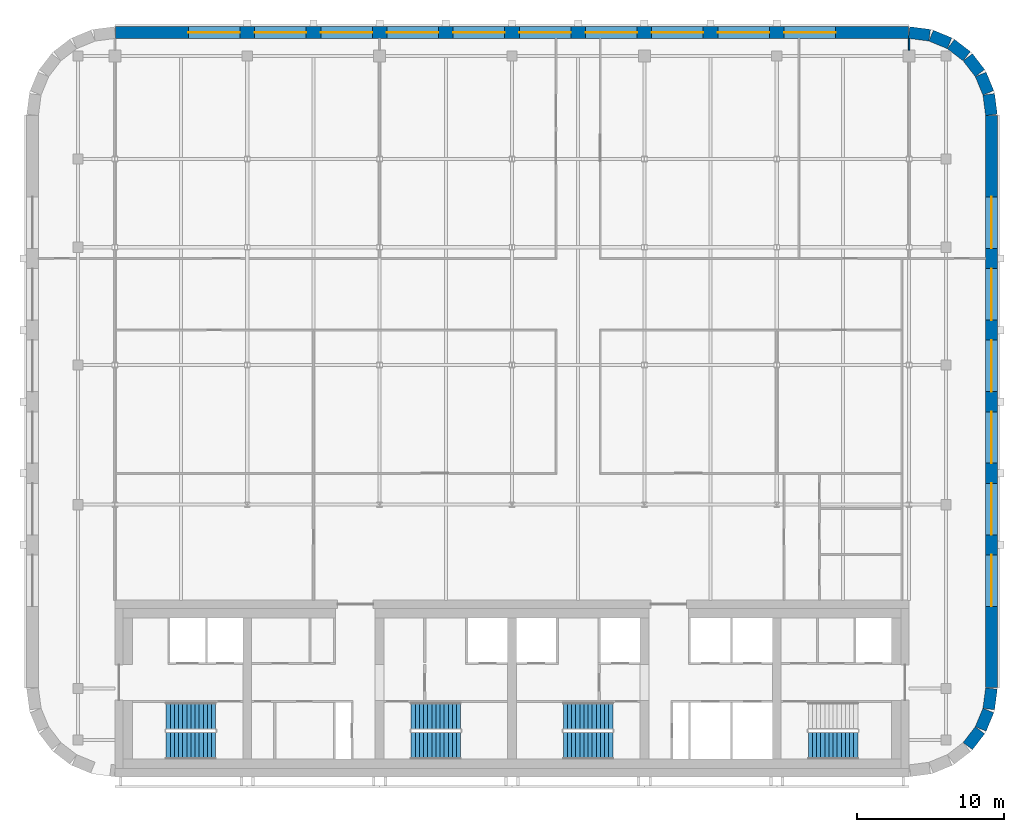
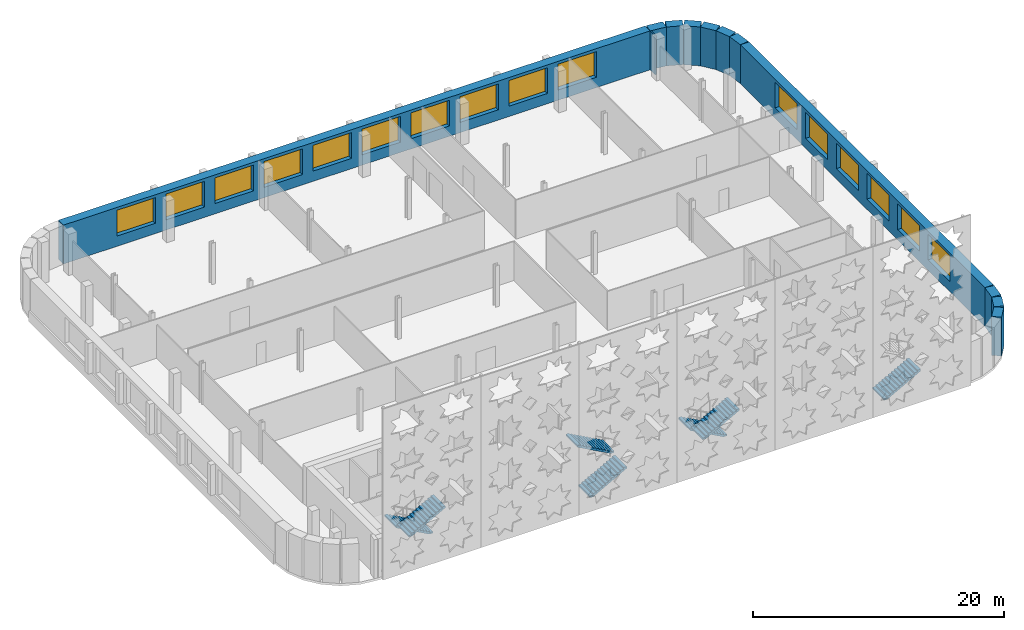
# One storey, part 10 of 14: 16 windows, 12 walls, 7 stair flights, 16 openings, 4 elements without a shape of their own.
"""IFC4 building model written with IfcOpenShell, lengths in metres."""

from ifc_helpers import new_model, si_unit, direction, frame, frame_2d, origin, place, context, subcontext, project, spatial, polyline, rectangle, outline, extrude, material, layer, layer_set, type_object, element, fill, aggregate, save


model = new_model("IFC4")

# Units and contexts
model_context = context("Model", 3, precision=1e-05, world=origin(), true_north=direction((0.0, 1.0)))
body_context = subcontext(model_context, "Body", "Model", "MODEL_VIEW")
ifc_project = project(units=[si_unit("LENGTHUNIT", "METRE"), si_unit("AREAUNIT", "SQUARE_METRE"), si_unit("VOLUMEUNIT", "CUBIC_METRE"), si_unit("PLANEANGLEUNIT", "RADIAN"), si_unit("MASSUNIT", "GRAM", prefix="KILO")], contexts=[model_context])

# Site, building, storey
site_placement = place(None, origin())
site = spatial("IfcSite", under=ifc_project, at=site_placement, CompositionType="ELEMENT")
building_placement = place(site_placement, origin())
building = spatial("IfcBuilding", under=site, at=building_placement, Name="Zellij Exchange Tower", CompositionType="ELEMENT")
storey_placement = place(building_placement, frame((0.0, 0.0, 288.5)))
storey = spatial("IfcBuildingStorey", under=building, at=storey_placement, Name="L68", CompositionType="ELEMENT", Elevation=288.5)

# Walls
ifc_material_1 = material(Name="Precast concrete C40/50", Category="concrete")
ifc_layer_1 = layer(ifc_material_1, 0.800048828125)
ifc_layer_set_1 = layer_set([ifc_layer_1], Name="Precast concrete C40/50")
wall_type_1 = type_object("IfcWallType", Name="ENV-EW1 Precast stone-piered wall 800", PredefinedType="SOLIDWALL", material=ifc_layer_set_1)
wall_1_placement = place(storey_placement, frame((30.9892578125, -11.91552734375, 0.0), z_axis=(0.0, 0.0, 1.0), x_axis=(0.608866226366, 0.793272915452, 0.0)))
element("IfcWall", 1, at=wall_1_placement, inside=storey, type_object=wall_type_1, Name="fac.L68.04", PredefinedType="SOLIDWALL", context=body_context, shape_type="SweptSolid", body=[
    extrude(rectangle(XDim=1.355712890625, YDim=0.800048828125, at=frame_2d((0.677734375, 0.0))), origin(), (0.0, 0.0, 1.0), 3.780029296875),
])
wall_2_placement = place(storey_placement, frame((31.866943359375, -10.74951171875, 0.0), z_axis=(0.0, 0.0, 1.0), x_axis=(0.38276009378, 0.923847774587, 0.0)))
element("IfcWall", 2, at=wall_2_placement, inside=storey, type_object=wall_type_1, Name="fac.L68.05", PredefinedType="SOLIDWALL", context=body_context, shape_type="SweptSolid", body=[
    extrude(rectangle(XDim=1.35546875, YDim=0.800048828125, at=frame_2d((0.677734375, 0.0))), origin(), (0.0, 0.0, 1.0), 3.780029296875),
])
wall_3_placement = place(storey_placement, frame((32.412841796875, -9.396240234375, 0.0), z_axis=(0.0, 0.0, 1.0), x_axis=(0.130517283865, 0.99144603414, 0.0)))
element("IfcWall", 3, at=wall_3_placement, inside=storey, type_object=wall_type_1, Name="fac.L68.06", PredefinedType="SOLIDWALL", context=body_context, shape_type="SweptSolid", body=[
    extrude(rectangle(XDim=1.408447265625, YDim=0.800048828125, at=frame_2d((0.7041015625, 0.0))), origin(), (0.0, 0.0, 1.0), 3.780029296875),
])

# Wall, openings, windows
wall_4_placement = place(storey_placement, frame((32.60009765625, -7.947509765625, 0.0), z_axis=(0.0, 0.0, 1.0), x_axis=(0.0, 1.0, 0.0)))
wall_4 = element("IfcWall", 4, at=wall_4_placement, inside=storey, type_object=wall_type_1, Name="fac.L68.07", PredefinedType="SOLIDWALL", context=body_context, shape_type="SweptSolid", body=[
    extrude(rectangle(XDim=38.89501953125, YDim=0.800048828125, at=frame_2d((19.447509765625, 0.0))), origin(), (0.0, 0.0, 1.0), 3.780029296875),
])
opening_1_placement = place(wall_4_placement, frame((5.5263671875, 0.0, 1.0)))
opening_1 = element("IfcOpeningElement", 5, at=opening_1_placement, cuts=wall_4, Name="Opening FC2.01", PredefinedType="OPENING", context=body_context, shape_type="SweptSolid", body=[
    extrude(rectangle(XDim=3.5, YDim=2.5, at=frame_2d((1.75, 1.25))), frame((0.0, 0.412109375, 0.0), z_axis=(0.0, -1.0, 0.0), x_axis=(1.0, 0.0, 0.0)), (0.0, 0.0, 1.0), 0.823974609375),
])
opening_2_placement = place(wall_4_placement, frame((10.39501953125, 0.0, 1.0)))
opening_2 = element("IfcOpeningElement", 6, at=opening_2_placement, cuts=wall_4, Name="Opening FC2.02", PredefinedType="OPENING", context=body_context, shape_type="SweptSolid", body=[
    extrude(rectangle(XDim=3.5, YDim=2.5, at=frame_2d((1.75, 1.25))), frame((0.0, 0.412109375, 0.0), z_axis=(0.0, -1.0, 0.0), x_axis=(1.0, 0.0, 0.0)), (0.0, 0.0, 1.0), 0.823974609375),
])
opening_3_placement = place(wall_4_placement, frame((15.26318359375, 0.0, 1.0)))
opening_3 = element("IfcOpeningElement", 7, at=opening_3_placement, cuts=wall_4, Name="Opening FC2.03", PredefinedType="OPENING", context=body_context, shape_type="SweptSolid", body=[
    extrude(rectangle(XDim=3.5, YDim=2.5, at=frame_2d((1.75, 1.25))), frame((0.0, 0.412109375, 0.0), z_axis=(0.0, -1.0, 0.0), x_axis=(1.0, 0.0, 0.0)), (0.0, 0.0, 1.0), 0.823974609375),
])
opening_4_placement = place(wall_4_placement, frame((20.1318359375, 0.0, 1.0)))
opening_4 = element("IfcOpeningElement", 8, at=opening_4_placement, cuts=wall_4, Name="Opening FC2.04", PredefinedType="OPENING", context=body_context, shape_type="SweptSolid", body=[
    extrude(rectangle(XDim=3.5, YDim=2.5, at=frame_2d((1.75, 1.25))), frame((0.0, 0.412109375, 0.0), z_axis=(0.0, -1.0, 0.0), x_axis=(1.0, 0.0, 0.0)), (0.0, 0.0, 1.0), 0.823974609375),
])
opening_5_placement = place(wall_4_placement, frame((25.000244140625, 0.0, 1.0)))
opening_5 = element("IfcOpeningElement", 9, at=opening_5_placement, cuts=wall_4, Name="Opening FC2.05", PredefinedType="OPENING", context=body_context, shape_type="SweptSolid", body=[
    extrude(rectangle(XDim=3.5, YDim=2.5, at=frame_2d((1.75, 1.25))), frame((0.0, 0.412109375, 0.0), z_axis=(0.0, -1.0, 0.0), x_axis=(1.0, 0.0, 0.0)), (0.0, 0.0, 1.0), 0.823974609375),
])
opening_6_placement = place(wall_4_placement, frame((29.86865234375, 0.0, 1.0)))
opening_6 = element("IfcOpeningElement", 10, at=opening_6_placement, cuts=wall_4, Name="Opening FC2.06", PredefinedType="OPENING", context=body_context, shape_type="SweptSolid", body=[
    extrude(rectangle(XDim=3.5, YDim=2.5, at=frame_2d((1.75, 1.25))), frame((0.0, 0.412109375, 0.0), z_axis=(0.0, -1.0, 0.0), x_axis=(1.0, 0.0, 0.0)), (0.0, 0.0, 1.0), 0.823974609375),
])
ifc_material_2 = material(Name="Aluminium frame with insulating glass", Category="aluminium")
window_type = type_object("IfcWindowType", Name="ENV-W1 Window 3500x2500", PartitioningType="SINGLE_PANEL", PredefinedType="WINDOW", material=ifc_material_2)
window_1_placement = place(opening_1_placement, origin())
window_1 = element("IfcWindow", 11, at=window_1_placement, inside=storey, type_object=window_type, Name="Window FC2.01", OverallHeight=2.5, OverallWidth=3.5, PartitioningType="SINGLE_PANEL", PredefinedType="WINDOW", context=body_context, shape_type="SweptSolid", body=[
    extrude(rectangle(XDim=3.5, YDim=2.5, at=frame_2d((1.75, 1.25))), frame((0.0, 0.030029296875, 0.0), z_axis=(0.0, -1.0, 0.0), x_axis=(1.0, 0.0, 0.0)), (0.0, 0.0, 1.0), 0.06005859375),
])
fill(opening_1, window_1)
window_2_placement = place(opening_2_placement, origin())
window_2 = element("IfcWindow", 12, at=window_2_placement, inside=storey, type_object=window_type, Name="Window FC2.02", OverallHeight=2.5, OverallWidth=3.5, PartitioningType="SINGLE_PANEL", PredefinedType="WINDOW", context=body_context, shape_type="SweptSolid", body=[
    extrude(rectangle(XDim=3.5, YDim=2.5, at=frame_2d((1.75, 1.25))), frame((0.0, 0.030029296875, 0.0), z_axis=(0.0, -1.0, 0.0), x_axis=(1.0, 0.0, 0.0)), (0.0, 0.0, 1.0), 0.06005859375),
])
fill(opening_2, window_2)
window_3_placement = place(opening_3_placement, origin())
window_3 = element("IfcWindow", 13, at=window_3_placement, inside=storey, type_object=window_type, Name="Window FC2.03", OverallHeight=2.5, OverallWidth=3.5, PartitioningType="SINGLE_PANEL", PredefinedType="WINDOW", context=body_context, shape_type="SweptSolid", body=[
    extrude(rectangle(XDim=3.5, YDim=2.5, at=frame_2d((1.75, 1.25))), frame((0.0, 0.030029296875, 0.0), z_axis=(0.0, -1.0, 0.0), x_axis=(1.0, 0.0, 0.0)), (0.0, 0.0, 1.0), 0.06005859375),
])
fill(opening_3, window_3)
window_4_placement = place(opening_4_placement, origin())
window_4 = element("IfcWindow", 14, at=window_4_placement, inside=storey, type_object=window_type, Name="Window FC2.04", OverallHeight=2.5, OverallWidth=3.5, PartitioningType="SINGLE_PANEL", PredefinedType="WINDOW", context=body_context, shape_type="SweptSolid", body=[
    extrude(rectangle(XDim=3.5, YDim=2.5, at=frame_2d((1.75, 1.25))), frame((0.0, 0.030029296875, 0.0), z_axis=(0.0, -1.0, 0.0), x_axis=(1.0, 0.0, 0.0)), (0.0, 0.0, 1.0), 0.06005859375),
])
fill(opening_4, window_4)
window_5_placement = place(opening_5_placement, origin())
window_5 = element("IfcWindow", 15, at=window_5_placement, inside=storey, type_object=window_type, Name="Window FC2.05", OverallHeight=2.5, OverallWidth=3.5, PartitioningType="SINGLE_PANEL", PredefinedType="WINDOW", context=body_context, shape_type="SweptSolid", body=[
    extrude(rectangle(XDim=3.5, YDim=2.5, at=frame_2d((1.75, 1.25))), frame((0.0, 0.030029296875, 0.0), z_axis=(0.0, -1.0, 0.0), x_axis=(1.0, 0.0, 0.0)), (0.0, 0.0, 1.0), 0.06005859375),
])
fill(opening_5, window_5)
window_6_placement = place(opening_6_placement, origin())
window_6 = element("IfcWindow", 16, at=window_6_placement, inside=storey, type_object=window_type, Name="Window FC2.06", OverallHeight=2.5, OverallWidth=3.5, PartitioningType="SINGLE_PANEL", PredefinedType="WINDOW", context=body_context, shape_type="SweptSolid", body=[
    extrude(rectangle(XDim=3.5, YDim=2.5, at=frame_2d((1.75, 1.25))), frame((0.0, 0.030029296875, 0.0), z_axis=(0.0, -1.0, 0.0), x_axis=(1.0, 0.0, 0.0)), (0.0, 0.0, 1.0), 0.06005859375),
])
fill(opening_6, window_6)

# Walls
wall_5_placement = place(storey_placement, frame((32.5966796875, 30.999755859375, 0.0), z_axis=(0.0, 0.0, 1.0), x_axis=(-0.130517283865, 0.99144603414, 0.0)))
element("IfcWall", 17, at=wall_5_placement, inside=storey, type_object=wall_type_1, Name="fac.L68.08", PredefinedType="SOLIDWALL", context=body_context, shape_type="SweptSolid", body=[
    extrude(rectangle(XDim=1.408447265625, YDim=0.800048828125, at=frame_2d((0.7041015625, 0.0))), origin(), (0.0, 0.0, 1.0), 3.780029296875),
])
wall_6_placement = place(storey_placement, frame((32.3857421875, 32.497314453125, 0.0), z_axis=(0.0, 0.0, 1.0), x_axis=(-0.38276009378, 0.923847774587, 0.0)))
element("IfcWall", 18, at=wall_6_placement, inside=storey, type_object=wall_type_1, Name="fac.L68.09", PredefinedType="SOLIDWALL", context=body_context, shape_type="SweptSolid", body=[
    extrude(rectangle(XDim=1.35546875, YDim=0.800048828125, at=frame_2d((0.677734375, 0.0))), origin(), (0.0, 0.0, 1.0), 3.780029296875),
])
for number, where, z_axis, x_axis, name in (
    (19, (31.814697265625, 33.840087890625, 0.0), (0.0, 0.0, 1.0), (-0.608866226366, 0.793272915452, 0.0), "fac.L68.10"),
    (20, (30.91552734375, 34.9892578125, 0.0), (0.0, 0.0, 1.0), (-0.793272915452, 0.608866226366, 0.0), "fac.L68.11"),
):
    element("IfcWall", number, at=place(storey_placement, frame(where, z_axis=z_axis, x_axis=x_axis)), inside=storey, type_object=wall_type_1, Name=name, PredefinedType="SOLIDWALL", context=body_context, shape_type="SweptSolid", body=[
        extrude(rectangle(XDim=1.355712890625, YDim=0.800048828125, at=frame_2d((0.677734375, 0.0))), origin(), (0.0, 0.0, 1.0), 3.780029296875),
    ])
wall_7_placement = place(storey_placement, frame((29.74951171875, 35.866943359375, 0.0), z_axis=(0.0, 0.0, 1.0), x_axis=(-0.923847774587, 0.38276009378, 0.0)))
element("IfcWall", 21, at=wall_7_placement, inside=storey, type_object=wall_type_1, Name="fac.L68.12", PredefinedType="SOLIDWALL", context=body_context, shape_type="SweptSolid", body=[
    extrude(rectangle(XDim=1.35546875, YDim=0.800048828125, at=frame_2d((0.677734375, 0.0))), origin(), (0.0, 0.0, 1.0), 3.780029296875),
])
wall_8_placement = place(storey_placement, frame((28.396240234375, 36.412841796875, 0.0), z_axis=(0.0, 0.0, 1.0), x_axis=(-0.99144603414, 0.130517283865, 0.0)))
element("IfcWall", 22, at=wall_8_placement, inside=storey, type_object=wall_type_1, Name="fac.L68.13", PredefinedType="SOLIDWALL", context=body_context, shape_type="SweptSolid", body=[
    extrude(rectangle(XDim=1.408447265625, YDim=0.800048828125, at=frame_2d((0.7041015625, 0.0))), origin(), (0.0, 0.0, 1.0), 3.780029296875),
])

# Wall, openings, windows
wall_9_placement = place(storey_placement, frame((26.947509765625, 36.60009765625, 0.0), z_axis=(0.0, 0.0, 1.0), x_axis=(-1.0, 0.0, 0.0)))
wall_9 = element("IfcWall", 23, at=wall_9_placement, inside=storey, type_object=wall_type_1, Name="fac.L68.14", PredefinedType="SOLIDWALL", context=body_context, shape_type="SweptSolid", body=[
    extrude(rectangle(XDim=53.89501953125, YDim=0.800048828125, at=frame_2d((26.947509765625, 0.0))), origin(), (0.0, 0.0, 1.0), 3.780029296875),
])
opening_7_placement = place(wall_9_placement, frame((4.947509765625, 0.0, 1.0)))
opening_7 = element("IfcOpeningElement", 24, at=opening_7_placement, cuts=wall_9, Name="Opening FC2.07", PredefinedType="OPENING", context=body_context, shape_type="SweptSolid", body=[
    extrude(rectangle(XDim=3.5, YDim=2.5, at=frame_2d((1.75, 1.25))), frame((0.0, 0.412109375, 0.0), z_axis=(0.0, -1.0, 0.0), x_axis=(1.0, 0.0, 0.0)), (0.0, 0.0, 1.0), 0.823974609375),
])
opening_8_placement = place(wall_9_placement, frame((9.447509765625, 0.0, 1.0)))
opening_8 = element("IfcOpeningElement", 25, at=opening_8_placement, cuts=wall_9, Name="Opening FC2.08", PredefinedType="OPENING", context=body_context, shape_type="SweptSolid", body=[
    extrude(rectangle(XDim=3.5, YDim=2.5, at=frame_2d((1.75, 1.25))), frame((0.0, 0.412109375, 0.0), z_axis=(0.0, -1.0, 0.0), x_axis=(1.0, 0.0, 0.0)), (0.0, 0.0, 1.0), 0.823974609375),
])
opening_9_placement = place(wall_9_placement, frame((13.947509765625, 0.0, 1.0)))
opening_9 = element("IfcOpeningElement", 26, at=opening_9_placement, cuts=wall_9, Name="Opening FC2.09", PredefinedType="OPENING", context=body_context, shape_type="SweptSolid", body=[
    extrude(rectangle(XDim=3.5, YDim=2.5, at=frame_2d((1.75, 1.25))), frame((0.0, 0.412109375, 0.0), z_axis=(0.0, -1.0, 0.0), x_axis=(1.0, 0.0, 0.0)), (0.0, 0.0, 1.0), 0.823974609375),
])
opening_10_placement = place(wall_9_placement, frame((18.447509765625, 0.0, 1.0)))
opening_10 = element("IfcOpeningElement", 27, at=opening_10_placement, cuts=wall_9, Name="Opening FC2.10", PredefinedType="OPENING", context=body_context, shape_type="SweptSolid", body=[
    extrude(rectangle(XDim=3.5, YDim=2.5, at=frame_2d((1.75, 1.25))), frame((0.0, 0.412109375, 0.0), z_axis=(0.0, -1.0, 0.0), x_axis=(1.0, 0.0, 0.0)), (0.0, 0.0, 1.0), 0.823974609375),
])
opening_11_placement = place(wall_9_placement, frame((22.947509765625, 0.0, 1.0)))
opening_11 = element("IfcOpeningElement", 28, at=opening_11_placement, cuts=wall_9, Name="Opening FC2.11", PredefinedType="OPENING", context=body_context, shape_type="SweptSolid", body=[
    extrude(rectangle(XDim=3.5, YDim=2.5, at=frame_2d((1.75, 1.25))), frame((0.0, 0.412109375, 0.0), z_axis=(0.0, -1.0, 0.0), x_axis=(1.0, 0.0, 0.0)), (0.0, 0.0, 1.0), 0.823974609375),
])
opening_12_placement = place(wall_9_placement, frame((27.447509765625, 0.0, 1.0)))
opening_12 = element("IfcOpeningElement", 29, at=opening_12_placement, cuts=wall_9, Name="Opening FC2.12", PredefinedType="OPENING", context=body_context, shape_type="SweptSolid", body=[
    extrude(rectangle(XDim=3.5, YDim=2.5, at=frame_2d((1.75, 1.25))), frame((0.0, 0.412109375, 0.0), z_axis=(0.0, -1.0, 0.0), x_axis=(1.0, 0.0, 0.0)), (0.0, 0.0, 1.0), 0.823974609375),
])
opening_13_placement = place(wall_9_placement, frame((31.947509765625, 0.0, 1.0)))
opening_13 = element("IfcOpeningElement", 30, at=opening_13_placement, cuts=wall_9, Name="Opening FC2.13", PredefinedType="OPENING", context=body_context, shape_type="SweptSolid", body=[
    extrude(rectangle(XDim=3.5, YDim=2.5, at=frame_2d((1.75, 1.25))), frame((0.0, 0.412109375, 0.0), z_axis=(0.0, -1.0, 0.0), x_axis=(1.0, 0.0, 0.0)), (0.0, 0.0, 1.0), 0.823974609375),
])
opening_14_placement = place(wall_9_placement, frame((36.447509765625, 0.0, 1.0)))
opening_14 = element("IfcOpeningElement", 31, at=opening_14_placement, cuts=wall_9, Name="Opening FC2.14", PredefinedType="OPENING", context=body_context, shape_type="SweptSolid", body=[
    extrude(rectangle(XDim=3.5, YDim=2.5, at=frame_2d((1.75, 1.25))), frame((0.0, 0.412109375, 0.0), z_axis=(0.0, -1.0, 0.0), x_axis=(1.0, 0.0, 0.0)), (0.0, 0.0, 1.0), 0.823974609375),
])
opening_15_placement = place(wall_9_placement, frame((40.947509765625, 0.0, 1.0)))
opening_15 = element("IfcOpeningElement", 32, at=opening_15_placement, cuts=wall_9, Name="Opening FC2.15", PredefinedType="OPENING", context=body_context, shape_type="SweptSolid", body=[
    extrude(rectangle(XDim=3.5, YDim=2.5, at=frame_2d((1.75, 1.25))), frame((0.0, 0.412109375, 0.0), z_axis=(0.0, -1.0, 0.0), x_axis=(1.0, 0.0, 0.0)), (0.0, 0.0, 1.0), 0.823974609375),
])
opening_16_placement = place(wall_9_placement, frame((45.447509765625, 0.0, 1.0)))
opening_16 = element("IfcOpeningElement", 33, at=opening_16_placement, cuts=wall_9, Name="Opening FC2.16", PredefinedType="OPENING", context=body_context, shape_type="SweptSolid", body=[
    extrude(rectangle(XDim=3.5, YDim=2.5, at=frame_2d((1.75, 1.25))), frame((0.0, 0.412109375, 0.0), z_axis=(0.0, -1.0, 0.0), x_axis=(1.0, 0.0, 0.0)), (0.0, 0.0, 1.0), 0.823974609375),
])
window_7_placement = place(opening_7_placement, origin())
window_7 = element("IfcWindow", 34, at=window_7_placement, inside=storey, type_object=window_type, Name="Window FC2.07", OverallHeight=2.5, OverallWidth=3.5, PartitioningType="SINGLE_PANEL", PredefinedType="WINDOW", context=body_context, shape_type="SweptSolid", body=[
    extrude(rectangle(XDim=3.5, YDim=2.5, at=frame_2d((1.75, 1.25))), frame((0.0, 0.030029296875, 0.0), z_axis=(0.0, -1.0, 0.0), x_axis=(1.0, 0.0, 0.0)), (0.0, 0.0, 1.0), 0.06005859375),
])
fill(opening_7, window_7)
window_8_placement = place(opening_8_placement, origin())
window_8 = element("IfcWindow", 35, at=window_8_placement, inside=storey, type_object=window_type, Name="Window FC2.08", OverallHeight=2.5, OverallWidth=3.5, PartitioningType="SINGLE_PANEL", PredefinedType="WINDOW", context=body_context, shape_type="SweptSolid", body=[
    extrude(rectangle(XDim=3.5, YDim=2.5, at=frame_2d((1.75, 1.25))), frame((0.0, 0.030029296875, 0.0), z_axis=(0.0, -1.0, 0.0), x_axis=(1.0, 0.0, 0.0)), (0.0, 0.0, 1.0), 0.06005859375),
])
fill(opening_8, window_8)
window_9_placement = place(opening_9_placement, origin())
window_9 = element("IfcWindow", 36, at=window_9_placement, inside=storey, type_object=window_type, Name="Window FC2.09", OverallHeight=2.5, OverallWidth=3.5, PartitioningType="SINGLE_PANEL", PredefinedType="WINDOW", context=body_context, shape_type="SweptSolid", body=[
    extrude(rectangle(XDim=3.5, YDim=2.5, at=frame_2d((1.75, 1.25))), frame((0.0, 0.030029296875, 0.0), z_axis=(0.0, -1.0, 0.0), x_axis=(1.0, 0.0, 0.0)), (0.0, 0.0, 1.0), 0.06005859375),
])
fill(opening_9, window_9)
window_10_placement = place(opening_10_placement, origin())
window_10 = element("IfcWindow", 37, at=window_10_placement, inside=storey, type_object=window_type, Name="Window FC2.10", OverallHeight=2.5, OverallWidth=3.5, PartitioningType="SINGLE_PANEL", PredefinedType="WINDOW", context=body_context, shape_type="SweptSolid", body=[
    extrude(rectangle(XDim=3.5, YDim=2.5, at=frame_2d((1.75, 1.25))), frame((0.0, 0.030029296875, 0.0), z_axis=(0.0, -1.0, 0.0), x_axis=(1.0, 0.0, 0.0)), (0.0, 0.0, 1.0), 0.06005859375),
])
fill(opening_10, window_10)
window_11_placement = place(opening_11_placement, origin())
window_11 = element("IfcWindow", 38, at=window_11_placement, inside=storey, type_object=window_type, Name="Window FC2.11", OverallHeight=2.5, OverallWidth=3.5, PartitioningType="SINGLE_PANEL", PredefinedType="WINDOW", context=body_context, shape_type="SweptSolid", body=[
    extrude(rectangle(XDim=3.5, YDim=2.5, at=frame_2d((1.75, 1.25))), frame((0.0, 0.030029296875, 0.0), z_axis=(0.0, -1.0, 0.0), x_axis=(1.0, 0.0, 0.0)), (0.0, 0.0, 1.0), 0.06005859375),
])
fill(opening_11, window_11)
window_12_placement = place(opening_12_placement, origin())
window_12 = element("IfcWindow", 39, at=window_12_placement, inside=storey, type_object=window_type, Name="Window FC2.12", OverallHeight=2.5, OverallWidth=3.5, PartitioningType="SINGLE_PANEL", PredefinedType="WINDOW", context=body_context, shape_type="SweptSolid", body=[
    extrude(rectangle(XDim=3.5, YDim=2.5, at=frame_2d((1.75, 1.25))), frame((0.0, 0.030029296875, 0.0), z_axis=(0.0, -1.0, 0.0), x_axis=(1.0, 0.0, 0.0)), (0.0, 0.0, 1.0), 0.06005859375),
])
fill(opening_12, window_12)
window_13_placement = place(opening_13_placement, origin())
window_13 = element("IfcWindow", 40, at=window_13_placement, inside=storey, type_object=window_type, Name="Window FC2.13", OverallHeight=2.5, OverallWidth=3.5, PartitioningType="SINGLE_PANEL", PredefinedType="WINDOW", context=body_context, shape_type="SweptSolid", body=[
    extrude(rectangle(XDim=3.5, YDim=2.5, at=frame_2d((1.75, 1.25))), frame((0.0, 0.030029296875, 0.0), z_axis=(0.0, -1.0, 0.0), x_axis=(1.0, 0.0, 0.0)), (0.0, 0.0, 1.0), 0.06005859375),
])
fill(opening_13, window_13)
window_14_placement = place(opening_14_placement, origin())
window_14 = element("IfcWindow", 41, at=window_14_placement, inside=storey, type_object=window_type, Name="Window FC2.14", OverallHeight=2.5, OverallWidth=3.5, PartitioningType="SINGLE_PANEL", PredefinedType="WINDOW", context=body_context, shape_type="SweptSolid", body=[
    extrude(rectangle(XDim=3.5, YDim=2.5, at=frame_2d((1.75, 1.25))), frame((0.0, 0.030029296875, 0.0), z_axis=(0.0, -1.0, 0.0), x_axis=(1.0, 0.0, 0.0)), (0.0, 0.0, 1.0), 0.06005859375),
])
fill(opening_14, window_14)
window_15_placement = place(opening_15_placement, origin())
window_15 = element("IfcWindow", 42, at=window_15_placement, inside=storey, type_object=window_type, Name="Window FC2.15", OverallHeight=2.5, OverallWidth=3.5, PartitioningType="SINGLE_PANEL", PredefinedType="WINDOW", context=body_context, shape_type="SweptSolid", body=[
    extrude(rectangle(XDim=3.5, YDim=2.5, at=frame_2d((1.75, 1.25))), frame((0.0, 0.030029296875, 0.0), z_axis=(0.0, -1.0, 0.0), x_axis=(1.0, 0.0, 0.0)), (0.0, 0.0, 1.0), 0.06005859375),
])
fill(opening_15, window_15)
window_16_placement = place(opening_16_placement, origin())
window_16 = element("IfcWindow", 43, at=window_16_placement, inside=storey, type_object=window_type, Name="Window FC2.16", OverallHeight=2.5, OverallWidth=3.5, PartitioningType="SINGLE_PANEL", PredefinedType="WINDOW", context=body_context, shape_type="SweptSolid", body=[
    extrude(rectangle(XDim=3.5, YDim=2.5, at=frame_2d((1.75, 1.25))), frame((0.0, 0.030029296875, 0.0), z_axis=(0.0, -1.0, 0.0), x_axis=(1.0, 0.0, 0.0)), (0.0, 0.0, 1.0), 0.06005859375),
])
fill(opening_16, window_16)

# Wall
ifc_material_3 = material(Name="Gypsum board partition on steel studs", Category="steel")
ifc_layer_2 = layer(ifc_material_3, 0.10009765625)
ifc_layer_set_2 = layer_set([ifc_layer_2], Name="Gypsum board partition on steel studs")
wall_type_2 = type_object("IfcWallType", Name="FIT-PARTITION-100", PredefinedType="PARTITIONING", material=ifc_layer_set_2)
wall_10_placement = place(storey_placement, frame((27.0, 35.39990234375, 0.0), z_axis=(0.0, 0.0, 1.0), x_axis=(0.0, 1.0, 0.0)))
element("IfcWall", 44, at=wall_10_placement, inside=storey, type_object=wall_type_2, Name="FIT-PARTITION-100 035", PredefinedType="PARTITIONING", context=body_context, shape_type="SweptSolid", body=[
    extrude(rectangle(XDim=0.7900390625, YDim=0.10009765625, at=frame_2d((0.39501953125, 0.0))), origin(), (0.0, 0.0, 1.0), 3.780029296875),
])

# Stair, stair flights
ifc_material_4 = material(Name="Concrete C40/50", Category="concrete")
stair_type = type_object("IfcStairType", Name="CORE-ST exit stair 1850 wide", PredefinedType="HALF_TURN_STAIR", material=ifc_material_4)
stair_1_placement = place(storey_placement, origin())
stair_1 = element("IfcStair", 45, at=stair_1_placement, inside=storey, type_object=stair_type, Name="L68 exit stair ST1", PredefinedType="HALF_TURN_STAIR")
stair_flight_type = type_object("IfcStairFlightType", Name="CORE-SF flight 1850 riser 153.8 going 280", PredefinedType="STRAIGHT", material=ifc_material_4)
stair_flight_1_placement = place(storey_placement, frame((-20.14990234375, -9.875, 0.0), z_axis=(0.0, 0.0, 1.0), x_axis=(-1.0, 0.0, 0.0)))
stair_flight_1 = element("IfcStairFlight", 46, at=stair_flight_1_placement, type_object=stair_flight_type, Name="ST1 flight 1", NumberOfRisers=13, NumberOfTreads=12, PredefinedType="STRAIGHT", RiserHeight=0.153846154, TreadLength=0.28, context=body_context, shape_type="SweptSolid", body=[
    extrude(outline(polyline([(0.0, 0.0), (0.0, 0.15380859375), (0.280029296875, 0.15380859375), (0.280029296875, 0.3076171875), (0.56005859375, 0.3076171875), (0.56005859375, 0.46142578125), (0.840087890625, 0.46142578125), (0.840087890625, 0.615478515625), (1.1201171875, 0.615478515625), (1.1201171875, 0.769287109375), (1.39990234375, 0.769287109375), (1.39990234375, 0.923095703125), (1.679931640625, 0.923095703125), (1.679931640625, 1.076904296875), (1.9599609375, 1.076904296875), (1.9599609375, 1.230712890625), (2.239990234375, 1.230712890625), (2.239990234375, 1.384521484375), (2.52001953125, 1.384521484375), (2.52001953125, 1.53857421875), (2.800048828125, 1.53857421875), (2.800048828125, 1.6923828125), (3.080078125, 1.6923828125), (3.080078125, 1.84619140625), (3.360107421875, 1.84619140625), (3.360107421875, 2.0), (3.360107421875, 1.675048828125), (0.311279296875, 0.0), (0.0, 0.0)])), frame((0.0, 0.925048828125, 0.0), z_axis=(0.0, -1.0, 0.0), x_axis=(1.0, 0.0, 0.0)), (0.0, 0.0, 1.0), 1.85009765625),
])
stair_flight_2_placement = place(storey_placement, frame((-23.510009765625, -11.875, 2.0), z_axis=(0.0, 0.0, 1.0), x_axis=(1.0, 0.0, 0.0)))
stair_flight_2 = element("IfcStairFlight", 47, at=stair_flight_2_placement, type_object=stair_flight_type, Name="ST1 flight 2", NumberOfRisers=13, NumberOfTreads=12, PredefinedType="STRAIGHT", RiserHeight=0.153846154, TreadLength=0.28, context=body_context, shape_type="SweptSolid", body=[
    extrude(outline(polyline([(0.0, 0.0), (0.0, 0.15380859375), (0.280029296875, 0.15380859375), (0.280029296875, 0.3076171875), (0.56005859375, 0.3076171875), (0.56005859375, 0.46142578125), (0.840087890625, 0.46142578125), (0.840087890625, 0.615478515625), (1.1201171875, 0.615478515625), (1.1201171875, 0.769287109375), (1.39990234375, 0.769287109375), (1.39990234375, 0.923095703125), (1.679931640625, 0.923095703125), (1.679931640625, 1.076904296875), (1.9599609375, 1.076904296875), (1.9599609375, 1.230712890625), (2.239990234375, 1.230712890625), (2.239990234375, 1.384521484375), (2.52001953125, 1.384521484375), (2.52001953125, 1.53857421875), (2.800048828125, 1.53857421875), (2.800048828125, 1.6923828125), (3.080078125, 1.6923828125), (3.080078125, 1.84619140625), (3.360107421875, 1.84619140625), (3.360107421875, 2.0), (3.360107421875, 1.675048828125), (0.311279296875, 0.0), (0.0, 0.0)])), frame((0.0, 0.925048828125, 0.0), z_axis=(0.0, -1.0, 0.0), x_axis=(1.0, 0.0, 0.0)), (0.0, 0.0, 1.0), 1.85009765625),
])
aggregate(stair_1, [stair_flight_1, stair_flight_2])

stair_2_placement = place(storey_placement, origin())
stair_2 = element("IfcStair", 48, at=stair_2_placement, inside=storey, type_object=stair_type, Name="L68 exit stair ST2", PredefinedType="HALF_TURN_STAIR")
stair_flight_3_placement = place(storey_placement, frame((-6.85009765625, -11.875, 0.0), z_axis=(0.0, 0.0, 1.0), x_axis=(1.0, 0.0, 0.0)))
stair_flight_3 = element("IfcStairFlight", 49, at=stair_flight_3_placement, type_object=stair_flight_type, Name="ST2 flight 1", NumberOfRisers=13, NumberOfTreads=12, PredefinedType="STRAIGHT", RiserHeight=0.153846154, TreadLength=0.28, context=body_context, shape_type="SweptSolid", body=[
    extrude(outline(polyline([(0.0, 0.0), (0.0, 0.15380859375), (0.280029296875, 0.15380859375), (0.280029296875, 0.3076171875), (0.56005859375, 0.3076171875), (0.56005859375, 0.46142578125), (0.840087890625, 0.46142578125), (0.840087890625, 0.615478515625), (1.1201171875, 0.615478515625), (1.1201171875, 0.769287109375), (1.39990234375, 0.769287109375), (1.39990234375, 0.923095703125), (1.679931640625, 0.923095703125), (1.679931640625, 1.076904296875), (1.9599609375, 1.076904296875), (1.9599609375, 1.230712890625), (2.239990234375, 1.230712890625), (2.239990234375, 1.384521484375), (2.52001953125, 1.384521484375), (2.52001953125, 1.53857421875), (2.800048828125, 1.53857421875), (2.800048828125, 1.6923828125), (3.080078125, 1.6923828125), (3.080078125, 1.84619140625), (3.360107421875, 1.84619140625), (3.360107421875, 2.0), (3.360107421875, 1.675048828125), (0.311279296875, 0.0), (0.0, 0.0)])), frame((0.0, 0.925048828125, 0.0), z_axis=(0.0, -1.0, 0.0), x_axis=(1.0, 0.0, 0.0)), (0.0, 0.0, 1.0), 1.85009765625),
])
stair_flight_4_placement = place(storey_placement, frame((-3.489990234375, -9.875, 2.0), z_axis=(0.0, 0.0, 1.0), x_axis=(-1.0, 0.0, 0.0)))
stair_flight_4 = element("IfcStairFlight", 50, at=stair_flight_4_placement, type_object=stair_flight_type, Name="ST2 flight 2", NumberOfRisers=13, NumberOfTreads=12, PredefinedType="STRAIGHT", RiserHeight=0.153846154, TreadLength=0.28, context=body_context, shape_type="SweptSolid", body=[
    extrude(outline(polyline([(0.0, 0.0), (0.0, 0.15380859375), (0.280029296875, 0.15380859375), (0.280029296875, 0.3076171875), (0.56005859375, 0.3076171875), (0.56005859375, 0.46142578125), (0.840087890625, 0.46142578125), (0.840087890625, 0.615478515625), (1.1201171875, 0.615478515625), (1.1201171875, 0.769287109375), (1.39990234375, 0.769287109375), (1.39990234375, 0.923095703125), (1.679931640625, 0.923095703125), (1.679931640625, 1.076904296875), (1.9599609375, 1.076904296875), (1.9599609375, 1.230712890625), (2.239990234375, 1.230712890625), (2.239990234375, 1.384521484375), (2.52001953125, 1.384521484375), (2.52001953125, 1.53857421875), (2.800048828125, 1.53857421875), (2.800048828125, 1.6923828125), (3.080078125, 1.6923828125), (3.080078125, 1.84619140625), (3.360107421875, 1.84619140625), (3.360107421875, 2.0), (3.360107421875, 1.675048828125), (0.311279296875, 0.0), (0.0, 0.0)])), frame((0.0, 0.925048828125, 0.0), z_axis=(0.0, -1.0, 0.0), x_axis=(1.0, 0.0, 0.0)), (0.0, 0.0, 1.0), 1.85009765625),
])
aggregate(stair_2, [stair_flight_3, stair_flight_4])

stair_3_placement = place(storey_placement, origin())
stair_3 = element("IfcStair", 51, at=stair_3_placement, inside=storey, type_object=stair_type, Name="L68 exit stair ST3", PredefinedType="HALF_TURN_STAIR")
stair_flight_5_placement = place(storey_placement, frame((6.85009765625, -9.875, 0.0), z_axis=(0.0, 0.0, 1.0), x_axis=(-1.0, 0.0, 0.0)))
stair_flight_5 = element("IfcStairFlight", 52, at=stair_flight_5_placement, type_object=stair_flight_type, Name="ST3 flight 1", NumberOfRisers=13, NumberOfTreads=12, PredefinedType="STRAIGHT", RiserHeight=0.153846154, TreadLength=0.28, context=body_context, shape_type="SweptSolid", body=[
    extrude(outline(polyline([(0.0, 0.0), (0.0, 0.15380859375), (0.280029296875, 0.15380859375), (0.280029296875, 0.3076171875), (0.56005859375, 0.3076171875), (0.56005859375, 0.46142578125), (0.840087890625, 0.46142578125), (0.840087890625, 0.615478515625), (1.1201171875, 0.615478515625), (1.1201171875, 0.769287109375), (1.39990234375, 0.769287109375), (1.39990234375, 0.923095703125), (1.679931640625, 0.923095703125), (1.679931640625, 1.076904296875), (1.9599609375, 1.076904296875), (1.9599609375, 1.230712890625), (2.239990234375, 1.230712890625), (2.239990234375, 1.384521484375), (2.52001953125, 1.384521484375), (2.52001953125, 1.53857421875), (2.800048828125, 1.53857421875), (2.800048828125, 1.6923828125), (3.080078125, 1.6923828125), (3.080078125, 1.84619140625), (3.360107421875, 1.84619140625), (3.360107421875, 2.0), (3.360107421875, 1.675048828125), (0.311279296875, 0.0), (0.0, 0.0)])), frame((0.0, 0.925048828125, 0.0), z_axis=(0.0, -1.0, 0.0), x_axis=(1.0, 0.0, 0.0)), (0.0, 0.0, 1.0), 1.85009765625),
])
stair_flight_6_placement = place(storey_placement, frame((3.489990234375, -11.875, 2.0), z_axis=(0.0, 0.0, 1.0), x_axis=(1.0, 0.0, 0.0)))
stair_flight_6 = element("IfcStairFlight", 53, at=stair_flight_6_placement, type_object=stair_flight_type, Name="ST3 flight 2", NumberOfRisers=13, NumberOfTreads=12, PredefinedType="STRAIGHT", RiserHeight=0.153846154, TreadLength=0.28, context=body_context, shape_type="SweptSolid", body=[
    extrude(outline(polyline([(0.0, 0.0), (0.0, 0.15380859375), (0.280029296875, 0.15380859375), (0.280029296875, 0.3076171875), (0.56005859375, 0.3076171875), (0.56005859375, 0.46142578125), (0.840087890625, 0.46142578125), (0.840087890625, 0.615478515625), (1.1201171875, 0.615478515625), (1.1201171875, 0.769287109375), (1.39990234375, 0.769287109375), (1.39990234375, 0.923095703125), (1.679931640625, 0.923095703125), (1.679931640625, 1.076904296875), (1.9599609375, 1.076904296875), (1.9599609375, 1.230712890625), (2.239990234375, 1.230712890625), (2.239990234375, 1.384521484375), (2.52001953125, 1.384521484375), (2.52001953125, 1.53857421875), (2.800048828125, 1.53857421875), (2.800048828125, 1.6923828125), (3.080078125, 1.6923828125), (3.080078125, 1.84619140625), (3.360107421875, 1.84619140625), (3.360107421875, 2.0), (3.360107421875, 1.675048828125), (0.311279296875, 0.0), (0.0, 0.0)])), frame((0.0, 0.925048828125, 0.0), z_axis=(0.0, -1.0, 0.0), x_axis=(1.0, 0.0, 0.0)), (0.0, 0.0, 1.0), 1.85009765625),
])
aggregate(stair_3, [stair_flight_5, stair_flight_6])

# Stair, stair flight
stair_4_placement = place(storey_placement, origin())
stair_4 = element("IfcStair", 54, at=stair_4_placement, inside=storey, type_object=stair_type, Name="L68 exit stair ST4", PredefinedType="HALF_TURN_STAIR")
stair_flight_7_placement = place(storey_placement, frame((20.14990234375, -11.875, 0.0), z_axis=(0.0, 0.0, 1.0), x_axis=(1.0, 0.0, 0.0)))
stair_flight_7 = element("IfcStairFlight", 55, at=stair_flight_7_placement, type_object=stair_flight_type, Name="ST4 flight 1", NumberOfRisers=13, NumberOfTreads=12, PredefinedType="STRAIGHT", RiserHeight=0.153846154, TreadLength=0.28, context=body_context, shape_type="SweptSolid", body=[
    extrude(outline(polyline([(0.0, 0.0), (0.0, 0.15380859375), (0.280029296875, 0.15380859375), (0.280029296875, 0.3076171875), (0.56005859375, 0.3076171875), (0.56005859375, 0.46142578125), (0.840087890625, 0.46142578125), (0.840087890625, 0.615478515625), (1.1201171875, 0.615478515625), (1.1201171875, 0.769287109375), (1.39990234375, 0.769287109375), (1.39990234375, 0.923095703125), (1.679931640625, 0.923095703125), (1.679931640625, 1.076904296875), (1.9599609375, 1.076904296875), (1.9599609375, 1.230712890625), (2.239990234375, 1.230712890625), (2.239990234375, 1.384521484375), (2.52001953125, 1.384521484375), (2.52001953125, 1.53857421875), (2.800048828125, 1.53857421875), (2.800048828125, 1.6923828125), (3.080078125, 1.6923828125), (3.080078125, 1.84619140625), (3.360107421875, 1.84619140625), (3.360107421875, 2.0), (3.360107421875, 1.675048828125), (0.311279296875, 0.0), (0.0, 0.0)])), frame((0.0, 0.925048828125, 0.0), z_axis=(0.0, -1.0, 0.0), x_axis=(1.0, 0.0, 0.0)), (0.0, 0.0, 1.0), 1.85009765625),
])
aggregate(stair_4, [stair_flight_7])

save(model, "model.ifc")
